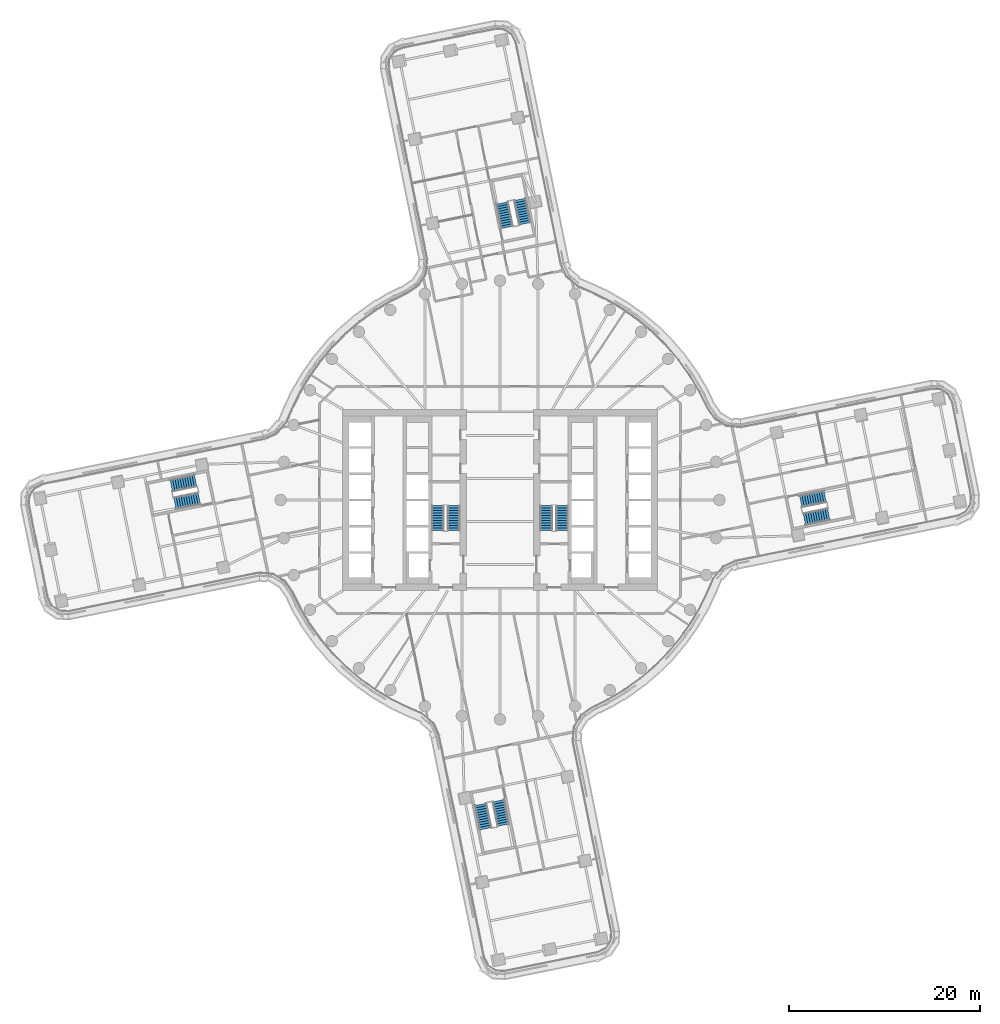
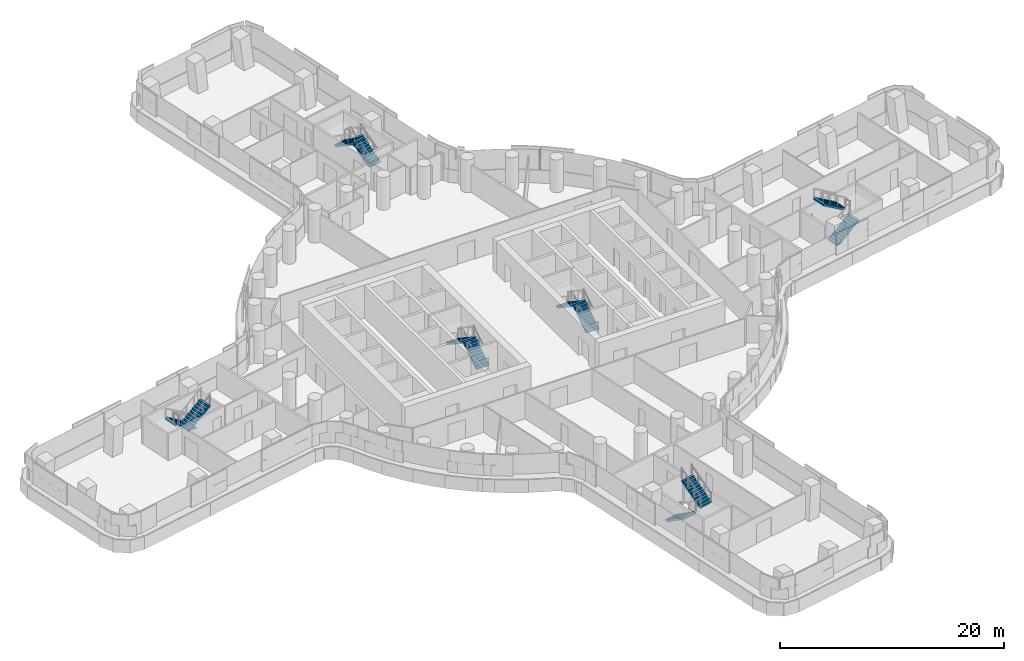
# One storey, part 23 of 31: 12 stair flights, 6 elements without a shape of their own.
"""IFC4 building model written with IfcOpenShell, lengths in metres."""

from ifc_helpers import new_model, si_unit, direction, frame, origin, place, context, subcontext, project, spatial, polyline, outline, extrude, material, type_object, element, aggregate, save


model = new_model("IFC4")

# Units and contexts
model_context = context("Model", 3, precision=1e-05, world=origin(), true_north=direction((0.0, 1.0)))
body_context = subcontext(model_context, "Body", "Model", "MODEL_VIEW")
ifc_project = project(units=[si_unit("LENGTHUNIT", "METRE"), si_unit("AREAUNIT", "SQUARE_METRE"), si_unit("VOLUMEUNIT", "CUBIC_METRE"), si_unit("PLANEANGLEUNIT", "RADIAN"), si_unit("MASSUNIT", "GRAM", prefix="KILO")], contexts=[model_context])

# Site, building, storey
site_placement = place(None, origin())
site = spatial("IfcSite", under=ifc_project, at=site_placement, CompositionType="ELEMENT")
building_placement = place(site_placement, origin())
building = spatial("IfcBuilding", under=site, at=building_placement, Name="Tamarind Cross Interchange Tower", CompositionType="ELEMENT")
storey_placement = place(building_placement, frame((0.0, 0.0, 75.25)))
storey = spatial("IfcBuildingStorey", under=building, at=storey_placement, Name="L17", CompositionType="ELEMENT", Elevation=75.25)

# Stair, stair flights
ifc_material_1 = material(Name="Exit stair")
stair_type = type_object("IfcStairType", Name="Exit stair", PredefinedType="HALF_TURN_STAIR", material=ifc_material_1)
stair_1_placement = place(storey_placement, origin())
stair_1 = element("IfcStair", 1, at=stair_1_placement, inside=storey, type_object=stair_type, Name="L17 exit stair ST1", PredefinedType="HALF_TURN_STAIR")
ifc_material_2 = material(Name="Exit stair flight")
stair_flight_type = type_object("IfcStairFlightType", Name="Exit stair flight", PredefinedType="STRAIGHT", material=ifc_material_2)
stair_flight_1_placement = place(storey_placement, frame((-4.85009765625, -3.199951171875, 0.0), z_axis=(0.0, 0.0, 1.0), x_axis=(0.0, 1.0, 0.0)))
stair_flight_1 = element("IfcStairFlight", 2, at=stair_flight_1_placement, type_object=stair_flight_type, Name="ST1 flight 1", NumberOfRisers=11, NumberOfTreads=10, PredefinedType="STRAIGHT", RiserHeight=0.170454545, TreadLength=0.26, context=body_context, shape_type="SweptSolid", body=[
    extrude(outline(polyline([(0.0, 0.0), (0.0, 0.17041015625), (0.260009765625, 0.17041015625), (0.260009765625, 0.3408203125), (0.52001953125, 0.3408203125), (0.52001953125, 0.511474609375), (0.780029296875, 0.511474609375), (0.780029296875, 0.681884765625), (1.0400390625, 0.681884765625), (1.0400390625, 0.852294921875), (1.300048828125, 0.852294921875), (1.300048828125, 1.022705078125), (1.56005859375, 1.022705078125), (1.56005859375, 1.193115234375), (1.820068359375, 1.193115234375), (1.820068359375, 1.363525390625), (2.080078125, 1.363525390625), (2.080078125, 1.5341796875), (2.340087890625, 1.5341796875), (2.340087890625, 1.70458984375), (2.60009765625, 1.70458984375), (2.60009765625, 1.875), (2.60009765625, 1.525390625), (0.2734375, 0.0), (0.0, 0.0)])), frame((0.0, 0.64990234375, 0.0), z_axis=(0.0, -1.0, 0.0), x_axis=(1.0, 0.0, 0.0)), (0.0, 0.0, 1.0), 1.300048828125),
])
stair_flight_2_placement = place(storey_placement, frame((-6.5, -0.60009765625, 1.875), z_axis=(0.0, 0.0, 1.0), x_axis=(0.0, -1.0, 0.0)))
stair_flight_2 = element("IfcStairFlight", 3, at=stair_flight_2_placement, type_object=stair_flight_type, Name="ST1 flight 2", NumberOfRisers=11, NumberOfTreads=10, PredefinedType="STRAIGHT", RiserHeight=0.170454545, TreadLength=0.26, context=body_context, shape_type="SweptSolid", body=[
    extrude(outline(polyline([(0.0, 0.0), (0.0, 0.17041015625), (0.260009765625, 0.17041015625), (0.260009765625, 0.3408203125), (0.52001953125, 0.3408203125), (0.52001953125, 0.511474609375), (0.780029296875, 0.511474609375), (0.780029296875, 0.681884765625), (1.0400390625, 0.681884765625), (1.0400390625, 0.852294921875), (1.300048828125, 0.852294921875), (1.300048828125, 1.022705078125), (1.56005859375, 1.022705078125), (1.56005859375, 1.193115234375), (1.820068359375, 1.193115234375), (1.820068359375, 1.363525390625), (2.080078125, 1.363525390625), (2.080078125, 1.5341796875), (2.340087890625, 1.5341796875), (2.340087890625, 1.70458984375), (2.60009765625, 1.70458984375), (2.60009765625, 1.875), (2.60009765625, 1.525390625), (0.2734375, 0.0), (0.0, 0.0)])), frame((0.0, 0.64990234375, 0.0), z_axis=(0.0, -1.0, 0.0), x_axis=(1.0, 0.0, 0.0)), (0.0, 0.0, 1.0), 1.300048828125),
])
aggregate(stair_1, [stair_flight_1, stair_flight_2])

stair_2_placement = place(storey_placement, origin())
stair_2 = element("IfcStair", 4, at=stair_2_placement, inside=storey, type_object=stair_type, Name="L17 exit stair ST2", PredefinedType="HALF_TURN_STAIR")
stair_flight_3_placement = place(storey_placement, frame((6.5, -3.199951171875, 0.0), z_axis=(0.0, 0.0, 1.0), x_axis=(0.0, 1.0, 0.0)))
stair_flight_3 = element("IfcStairFlight", 5, at=stair_flight_3_placement, type_object=stair_flight_type, Name="ST2 flight 1", NumberOfRisers=11, NumberOfTreads=10, PredefinedType="STRAIGHT", RiserHeight=0.170454545, TreadLength=0.26, context=body_context, shape_type="SweptSolid", body=[
    extrude(outline(polyline([(0.0, 0.0), (0.0, 0.17041015625), (0.260009765625, 0.17041015625), (0.260009765625, 0.3408203125), (0.52001953125, 0.3408203125), (0.52001953125, 0.511474609375), (0.780029296875, 0.511474609375), (0.780029296875, 0.681884765625), (1.0400390625, 0.681884765625), (1.0400390625, 0.852294921875), (1.300048828125, 0.852294921875), (1.300048828125, 1.022705078125), (1.56005859375, 1.022705078125), (1.56005859375, 1.193115234375), (1.820068359375, 1.193115234375), (1.820068359375, 1.363525390625), (2.080078125, 1.363525390625), (2.080078125, 1.5341796875), (2.340087890625, 1.5341796875), (2.340087890625, 1.70458984375), (2.60009765625, 1.70458984375), (2.60009765625, 1.875), (2.60009765625, 1.525390625), (0.2734375, 0.0), (0.0, 0.0)])), frame((0.0, 0.64990234375, 0.0), z_axis=(0.0, -1.0, 0.0), x_axis=(1.0, 0.0, 0.0)), (0.0, 0.0, 1.0), 1.300048828125),
])
stair_flight_4_placement = place(storey_placement, frame((4.85009765625, -0.60009765625, 1.875), z_axis=(0.0, 0.0, 1.0), x_axis=(0.0, -1.0, 0.0)))
stair_flight_4 = element("IfcStairFlight", 6, at=stair_flight_4_placement, type_object=stair_flight_type, Name="ST2 flight 2", NumberOfRisers=11, NumberOfTreads=10, PredefinedType="STRAIGHT", RiserHeight=0.170454545, TreadLength=0.26, context=body_context, shape_type="SweptSolid", body=[
    extrude(outline(polyline([(0.0, 0.0), (0.0, 0.17041015625), (0.260009765625, 0.17041015625), (0.260009765625, 0.3408203125), (0.52001953125, 0.3408203125), (0.52001953125, 0.511474609375), (0.780029296875, 0.511474609375), (0.780029296875, 0.681884765625), (1.0400390625, 0.681884765625), (1.0400390625, 0.852294921875), (1.300048828125, 0.852294921875), (1.300048828125, 1.022705078125), (1.56005859375, 1.022705078125), (1.56005859375, 1.193115234375), (1.820068359375, 1.193115234375), (1.820068359375, 1.363525390625), (2.080078125, 1.363525390625), (2.080078125, 1.5341796875), (2.340087890625, 1.5341796875), (2.340087890625, 1.70458984375), (2.60009765625, 1.70458984375), (2.60009765625, 1.875), (2.60009765625, 1.525390625), (0.2734375, 0.0), (0.0, 0.0)])), frame((0.0, 0.64990234375, 0.0), z_axis=(0.0, -1.0, 0.0), x_axis=(1.0, 0.0, 0.0)), (0.0, 0.0, 1.0), 1.300048828125),
])
aggregate(stair_2, [stair_flight_3, stair_flight_4])

stair_3_placement = place(storey_placement, origin())
stair_3 = element("IfcStair", 7, at=stair_3_placement, inside=storey, type_object=stair_type, Name="L17 exit stair ST3", PredefinedType="HALF_TURN_STAIR")
stair_flight_5_placement = place(storey_placement, frame((31.900634765625, -2.017822265625, 0.0), z_axis=(0.0, 0.0, 1.0), x_axis=(0.979949750197, 0.199244791873, 0.0)))
stair_flight_5 = element("IfcStairFlight", 8, at=stair_flight_5_placement, type_object=stair_flight_type, Name="ST3 flight 1", NumberOfRisers=11, NumberOfTreads=10, PredefinedType="STRAIGHT", RiserHeight=0.170454545, TreadLength=0.26, context=body_context, shape_type="SweptSolid", body=[
    extrude(outline(polyline([(0.0, 0.0), (0.0, 0.17041015625), (0.260009765625, 0.17041015625), (0.260009765625, 0.3408203125), (0.52001953125, 0.3408203125), (0.52001953125, 0.511474609375), (0.780029296875, 0.511474609375), (0.780029296875, 0.681884765625), (1.0400390625, 0.681884765625), (1.0400390625, 0.852294921875), (1.300048828125, 0.852294921875), (1.300048828125, 1.022705078125), (1.56005859375, 1.022705078125), (1.56005859375, 1.193115234375), (1.820068359375, 1.193115234375), (1.820068359375, 1.363525390625), (2.080078125, 1.363525390625), (2.080078125, 1.5341796875), (2.340087890625, 1.5341796875), (2.340087890625, 1.70458984375), (2.60009765625, 1.70458984375), (2.60009765625, 1.875), (2.60009765625, 1.525390625), (0.2734375, 0.0), (0.0, 0.0)])), frame((0.0, 0.64990234375, 0.0), z_axis=(0.0, -1.0, 0.0), x_axis=(1.0, 0.0, 0.0)), (0.0, 0.0, 1.0), 1.300048828125),
])
stair_flight_6_placement = place(storey_placement, frame((34.06982421875, 0.362060546875, 1.875), z_axis=(0.0, 0.0, 1.0), x_axis=(-0.979949750197, -0.199244791873, 0.0)))
stair_flight_6 = element("IfcStairFlight", 9, at=stair_flight_6_placement, type_object=stair_flight_type, Name="ST3 flight 2", NumberOfRisers=11, NumberOfTreads=10, PredefinedType="STRAIGHT", RiserHeight=0.170454545, TreadLength=0.26, context=body_context, shape_type="SweptSolid", body=[
    extrude(outline(polyline([(0.0, 0.0), (0.0, 0.17041015625), (0.260009765625, 0.17041015625), (0.260009765625, 0.3408203125), (0.52001953125, 0.3408203125), (0.52001953125, 0.511474609375), (0.780029296875, 0.511474609375), (0.780029296875, 0.681884765625), (1.0400390625, 0.681884765625), (1.0400390625, 0.852294921875), (1.300048828125, 0.852294921875), (1.300048828125, 1.022705078125), (1.56005859375, 1.022705078125), (1.56005859375, 1.193115234375), (1.820068359375, 1.193115234375), (1.820068359375, 1.363525390625), (2.080078125, 1.363525390625), (2.080078125, 1.5341796875), (2.340087890625, 1.5341796875), (2.340087890625, 1.70458984375), (2.60009765625, 1.70458984375), (2.60009765625, 1.875), (2.60009765625, 1.525390625), (0.2734375, 0.0), (0.0, 0.0)])), frame((0.0, 0.64990234375, 0.0), z_axis=(0.0, -1.0, 0.0), x_axis=(1.0, 0.0, 0.0)), (0.0, 0.0, 1.0), 1.300048828125),
])
aggregate(stair_3, [stair_flight_5, stair_flight_6])

stair_4_placement = place(storey_placement, origin())
stair_4 = element("IfcStair", 10, at=stair_4_placement, inside=storey, type_object=stair_type, Name="L17 exit stair ST4", PredefinedType="HALF_TURN_STAIR")
stair_flight_7_placement = place(storey_placement, frame((2.615478515625, 28.960693359375, 0.0), z_axis=(0.0, 0.0, 1.0), x_axis=(-0.199244791873, 0.979949750197, 0.0)))
stair_flight_7 = element("IfcStairFlight", 11, at=stair_flight_7_placement, type_object=stair_flight_type, Name="ST4 flight 1", NumberOfRisers=11, NumberOfTreads=10, PredefinedType="STRAIGHT", RiserHeight=0.170454545, TreadLength=0.26, context=body_context, shape_type="SweptSolid", body=[
    extrude(outline(polyline([(0.0, 0.0), (0.0, 0.17041015625), (0.260009765625, 0.17041015625), (0.260009765625, 0.3408203125), (0.52001953125, 0.3408203125), (0.52001953125, 0.511474609375), (0.780029296875, 0.511474609375), (0.780029296875, 0.681884765625), (1.0400390625, 0.681884765625), (1.0400390625, 0.852294921875), (1.300048828125, 0.852294921875), (1.300048828125, 1.022705078125), (1.56005859375, 1.022705078125), (1.56005859375, 1.193115234375), (1.820068359375, 1.193115234375), (1.820068359375, 1.363525390625), (2.080078125, 1.363525390625), (2.080078125, 1.5341796875), (2.340087890625, 1.5341796875), (2.340087890625, 1.70458984375), (2.60009765625, 1.70458984375), (2.60009765625, 1.875), (2.60009765625, 1.525390625), (0.2734375, 0.0), (0.0, 0.0)])), frame((0.0, 0.64990234375, 0.0), z_axis=(0.0, -1.0, 0.0), x_axis=(1.0, 0.0, 0.0)), (0.0, 0.0, 1.0), 1.300048828125),
])
stair_flight_8_placement = place(storey_placement, frame((0.235595703125, 31.130126953125, 1.875), z_axis=(0.0, 0.0, 1.0), x_axis=(0.199244791873, -0.979949750197, 0.0)))
stair_flight_8 = element("IfcStairFlight", 12, at=stair_flight_8_placement, type_object=stair_flight_type, Name="ST4 flight 2", NumberOfRisers=11, NumberOfTreads=10, PredefinedType="STRAIGHT", RiserHeight=0.170454545, TreadLength=0.26, context=body_context, shape_type="SweptSolid", body=[
    extrude(outline(polyline([(0.0, 0.0), (0.0, 0.17041015625), (0.260009765625, 0.17041015625), (0.260009765625, 0.3408203125), (0.52001953125, 0.3408203125), (0.52001953125, 0.511474609375), (0.780029296875, 0.511474609375), (0.780029296875, 0.681884765625), (1.0400390625, 0.681884765625), (1.0400390625, 0.852294921875), (1.300048828125, 0.852294921875), (1.300048828125, 1.022705078125), (1.56005859375, 1.022705078125), (1.56005859375, 1.193115234375), (1.820068359375, 1.193115234375), (1.820068359375, 1.363525390625), (2.080078125, 1.363525390625), (2.080078125, 1.5341796875), (2.340087890625, 1.5341796875), (2.340087890625, 1.70458984375), (2.60009765625, 1.70458984375), (2.60009765625, 1.875), (2.60009765625, 1.525390625), (0.2734375, 0.0), (0.0, 0.0)])), frame((0.0, 0.64990234375, 0.0), z_axis=(0.0, -1.0, 0.0), x_axis=(1.0, 0.0, 0.0)), (0.0, 0.0, 1.0), 1.300048828125),
])
aggregate(stair_4, [stair_flight_7, stair_flight_8])

stair_5_placement = place(storey_placement, origin())
stair_5 = element("IfcStair", 13, at=stair_5_placement, inside=storey, type_object=stair_type, Name="L17 exit stair ST5", PredefinedType="HALF_TURN_STAIR")
stair_flight_9_placement = place(storey_placement, frame((-31.900634765625, 2.017822265625, 0.0), z_axis=(0.0, 0.0, 1.0), x_axis=(-0.979949750197, -0.199244791873, 0.0)))
stair_flight_9 = element("IfcStairFlight", 14, at=stair_flight_9_placement, type_object=stair_flight_type, Name="ST5 flight 1", NumberOfRisers=11, NumberOfTreads=10, PredefinedType="STRAIGHT", RiserHeight=0.170454545, TreadLength=0.26, context=body_context, shape_type="SweptSolid", body=[
    extrude(outline(polyline([(0.0, 0.0), (0.0, 0.17041015625), (0.260009765625, 0.17041015625), (0.260009765625, 0.3408203125), (0.52001953125, 0.3408203125), (0.52001953125, 0.511474609375), (0.780029296875, 0.511474609375), (0.780029296875, 0.681884765625), (1.0400390625, 0.681884765625), (1.0400390625, 0.852294921875), (1.300048828125, 0.852294921875), (1.300048828125, 1.022705078125), (1.56005859375, 1.022705078125), (1.56005859375, 1.193115234375), (1.820068359375, 1.193115234375), (1.820068359375, 1.363525390625), (2.080078125, 1.363525390625), (2.080078125, 1.5341796875), (2.340087890625, 1.5341796875), (2.340087890625, 1.70458984375), (2.60009765625, 1.70458984375), (2.60009765625, 1.875), (2.60009765625, 1.525390625), (0.2734375, 0.0), (0.0, 0.0)])), frame((0.0, 0.64990234375, 0.0), z_axis=(0.0, -1.0, 0.0), x_axis=(1.0, 0.0, 0.0)), (0.0, 0.0, 1.0), 1.300048828125),
])
stair_flight_10_placement = place(storey_placement, frame((-34.06982421875, -0.362060546875, 1.875), z_axis=(0.0, 0.0, 1.0), x_axis=(0.979949750197, 0.199244791873, 0.0)))
stair_flight_10 = element("IfcStairFlight", 15, at=stair_flight_10_placement, type_object=stair_flight_type, Name="ST5 flight 2", NumberOfRisers=11, NumberOfTreads=10, PredefinedType="STRAIGHT", RiserHeight=0.170454545, TreadLength=0.26, context=body_context, shape_type="SweptSolid", body=[
    extrude(outline(polyline([(0.0, 0.0), (0.0, 0.17041015625), (0.260009765625, 0.17041015625), (0.260009765625, 0.3408203125), (0.52001953125, 0.3408203125), (0.52001953125, 0.511474609375), (0.780029296875, 0.511474609375), (0.780029296875, 0.681884765625), (1.0400390625, 0.681884765625), (1.0400390625, 0.852294921875), (1.300048828125, 0.852294921875), (1.300048828125, 1.022705078125), (1.56005859375, 1.022705078125), (1.56005859375, 1.193115234375), (1.820068359375, 1.193115234375), (1.820068359375, 1.363525390625), (2.080078125, 1.363525390625), (2.080078125, 1.5341796875), (2.340087890625, 1.5341796875), (2.340087890625, 1.70458984375), (2.60009765625, 1.70458984375), (2.60009765625, 1.875), (2.60009765625, 1.525390625), (0.2734375, 0.0), (0.0, 0.0)])), frame((0.0, 0.64990234375, 0.0), z_axis=(0.0, -1.0, 0.0), x_axis=(1.0, 0.0, 0.0)), (0.0, 0.0, 1.0), 1.300048828125),
])
aggregate(stair_5, [stair_flight_9, stair_flight_10])

stair_6_placement = place(storey_placement, origin())
stair_6 = element("IfcStair", 16, at=stair_6_placement, inside=storey, type_object=stair_type, Name="L17 exit stair ST6", PredefinedType="HALF_TURN_STAIR")
stair_flight_11_placement = place(storey_placement, frame((-2.017822265625, -31.900634765625, 0.0), z_axis=(0.0, 0.0, 1.0), x_axis=(0.199244791873, -0.979949750197, 0.0)))
stair_flight_11 = element("IfcStairFlight", 17, at=stair_flight_11_placement, type_object=stair_flight_type, Name="ST6 flight 1", NumberOfRisers=11, NumberOfTreads=10, PredefinedType="STRAIGHT", RiserHeight=0.170454545, TreadLength=0.26, context=body_context, shape_type="SweptSolid", body=[
    extrude(outline(polyline([(0.0, 0.0), (0.0, 0.17041015625), (0.260009765625, 0.17041015625), (0.260009765625, 0.3408203125), (0.52001953125, 0.3408203125), (0.52001953125, 0.511474609375), (0.780029296875, 0.511474609375), (0.780029296875, 0.681884765625), (1.0400390625, 0.681884765625), (1.0400390625, 0.852294921875), (1.300048828125, 0.852294921875), (1.300048828125, 1.022705078125), (1.56005859375, 1.022705078125), (1.56005859375, 1.193115234375), (1.820068359375, 1.193115234375), (1.820068359375, 1.363525390625), (2.080078125, 1.363525390625), (2.080078125, 1.5341796875), (2.340087890625, 1.5341796875), (2.340087890625, 1.70458984375), (2.60009765625, 1.70458984375), (2.60009765625, 1.875), (2.60009765625, 1.525390625), (0.2734375, 0.0), (0.0, 0.0)])), frame((0.0, 0.64990234375, 0.0), z_axis=(0.0, -1.0, 0.0), x_axis=(1.0, 0.0, 0.0)), (0.0, 0.0, 1.0), 1.300048828125),
])
stair_flight_12_placement = place(storey_placement, frame((0.362060546875, -34.06982421875, 1.875), z_axis=(0.0, 0.0, 1.0), x_axis=(-0.199244791873, 0.979949750197, 0.0)))
stair_flight_12 = element("IfcStairFlight", 18, at=stair_flight_12_placement, type_object=stair_flight_type, Name="ST6 flight 2", NumberOfRisers=11, NumberOfTreads=10, PredefinedType="STRAIGHT", RiserHeight=0.170454545, TreadLength=0.26, context=body_context, shape_type="SweptSolid", body=[
    extrude(outline(polyline([(0.0, 0.0), (0.0, 0.17041015625), (0.260009765625, 0.17041015625), (0.260009765625, 0.3408203125), (0.52001953125, 0.3408203125), (0.52001953125, 0.511474609375), (0.780029296875, 0.511474609375), (0.780029296875, 0.681884765625), (1.0400390625, 0.681884765625), (1.0400390625, 0.852294921875), (1.300048828125, 0.852294921875), (1.300048828125, 1.022705078125), (1.56005859375, 1.022705078125), (1.56005859375, 1.193115234375), (1.820068359375, 1.193115234375), (1.820068359375, 1.363525390625), (2.080078125, 1.363525390625), (2.080078125, 1.5341796875), (2.340087890625, 1.5341796875), (2.340087890625, 1.70458984375), (2.60009765625, 1.70458984375), (2.60009765625, 1.875), (2.60009765625, 1.525390625), (0.2734375, 0.0), (0.0, 0.0)])), frame((0.0, 0.64990234375, 0.0), z_axis=(0.0, -1.0, 0.0), x_axis=(1.0, 0.0, 0.0)), (0.0, 0.0, 1.0), 1.300048828125),
])
aggregate(stair_6, [stair_flight_11, stair_flight_12])

save(model, "model.ifc")
